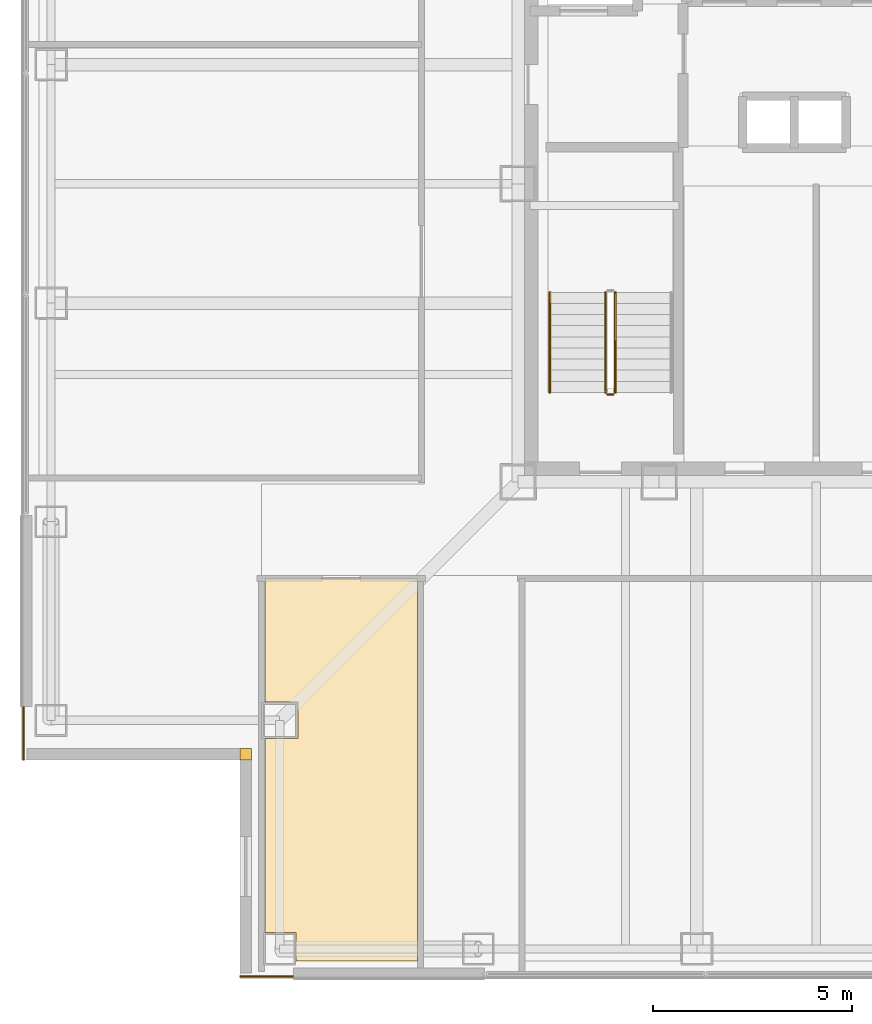
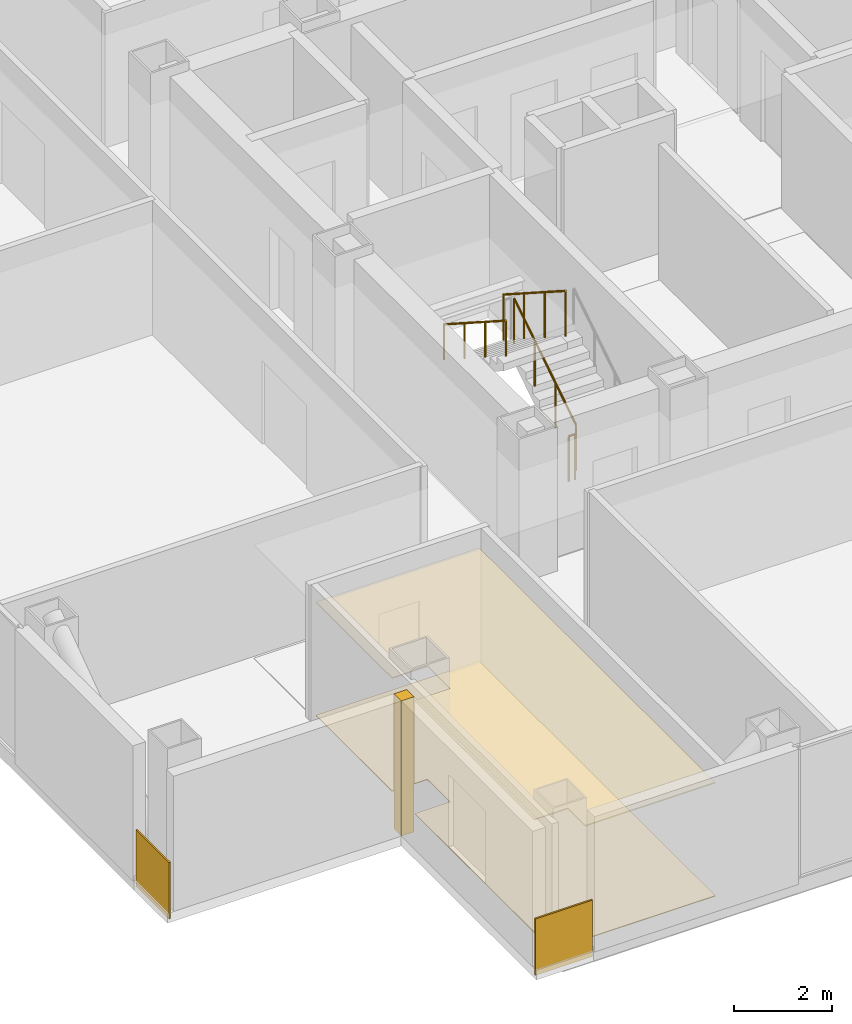
# One storey, part 11 of 16: 5 coverings, 4 railings.
"""IFC4 building model written with IfcOpenShell, lengths in metres."""

from ifc_helpers import new_model, si_unit, direction, frame, frame_2d, origin, origin_2d, place, context, subcontext, project, spatial, polyline, rectangle, circle, outline, extrude, material, layer, layer_set, type_object, element, save


model = new_model("IFC4")

# Units and contexts
model_context = context("Model", 3, precision=1e-05, world=origin(), true_north=direction((0.0, 1.0)))
body_context = subcontext(model_context, "Body", "Model", "MODEL_VIEW")
ifc_project = project(units=[si_unit("LENGTHUNIT", "METRE"), si_unit("AREAUNIT", "SQUARE_METRE"), si_unit("VOLUMEUNIT", "CUBIC_METRE"), si_unit("PLANEANGLEUNIT", "RADIAN"), si_unit("MASSUNIT", "GRAM", prefix="KILO")], contexts=[model_context])

# Site, building, storey
site_placement = place(None, origin())
site = spatial("IfcSite", under=ifc_project, at=site_placement, CompositionType="ELEMENT")
building_placement = place(site_placement, origin())
building = spatial("IfcBuilding", under=site, at=building_placement, Name="Trevonay Congress Spire", CompositionType="ELEMENT")
storey_placement = place(building_placement, frame((0.0, 0.0, 180.60009765625)))
storey = spatial("IfcBuildingStorey", under=building, at=storey_placement, Name="L46", CompositionType="ELEMENT", Elevation=180.60009765625)

# Coverings
ifc_material_1 = material(Name="Acoustic Mineral Fibre Board", Category="gypsum")
ifc_layer_1 = layer(ifc_material_1, 0.02490234375, Name="Acoustic Mineral Fibre Board")
ifc_layer_set_1 = layer_set([ifc_layer_1], Name="Acoustic Mineral Fibre Board")
covering_type_1 = type_object("IfcCoveringType", Name="COV-CEIL-ACOUSTIC", PredefinedType="CEILING", material=ifc_layer_set_1)
covering_1_placement = place(storey_placement, frame((0.0, 0.0, 2.809814453125)))
element("IfcCovering", 1, at=covering_1_placement, inside=storey, type_object=covering_type_1, Name="L46 Tribunal Judges Deliberation Room acoustic suspended ceiling", PredefinedType="CEILING", context=body_context, shape_type="SweptSolid", body=[
    extrude(outline(polyline([(-13.8701171875, -9.929931640625), (-10.030029296875, -9.929931640625), (-10.030029296875, -19.550048828125), (-13.090087890625, -19.550048828125), (-13.090087890625, -18.840087890625), (-13.8701171875, -18.840087890625), (-13.8701171875, -13.9599609375), (-13.0400390625, -13.9599609375), (-13.0400390625, -13.0400390625), (-13.8701171875, -13.0400390625), (-13.8701171875, -9.929931640625)])), origin(), (0.0, 0.0, 1.0), 0.025146484375),
])
ifc_material_2 = material(Name="Engineered Oak Flooring", Category="wood")
ifc_layer_2 = layer(ifc_material_2, 0.01806640625, Name="Engineered Oak Flooring")
ifc_layer_set_2 = layer_set([ifc_layer_2], Name="Engineered Oak Flooring")
covering_type_2 = type_object("IfcCoveringType", Name="COV-FLOOR-TIMBER", PredefinedType="FLOORING", material=ifc_layer_set_2)
covering_2_placement = place(storey_placement, origin())
element("IfcCovering", 2, at=covering_2_placement, inside=storey, type_object=covering_type_2, Name="L46 Tribunal Judges Deliberation Room floor finish", PredefinedType="FLOORING", context=body_context, shape_type="SweptSolid", body=[
    extrude(outline(polyline([(-13.8701171875, -9.929931640625), (-10.030029296875, -9.929931640625), (-10.030029296875, -19.550048828125), (-13.090087890625, -19.550048828125), (-13.090087890625, -18.840087890625), (-13.8701171875, -18.840087890625), (-13.8701171875, -13.9599609375), (-13.0400390625, -13.9599609375), (-13.0400390625, -13.0400390625), (-13.8701171875, -13.0400390625), (-13.8701171875, -9.929931640625)])), origin(), (0.0, 0.0, 1.0), 0.017822265625),
])
ifc_material_3 = material(Name="Pale Anodised Aluminium EN AW-6063-T6", Category="aluminium")
ifc_layer_3 = layer(ifc_material_3, 0.0400390625, Name="Pale Anodised Aluminium EN AW-6063-T6")
ifc_layer_set_3 = layer_set([ifc_layer_3], Name="Pale Anodised Aluminium EN AW-6063-T6")
covering_type_3 = type_object("IfcCoveringType", Name="COV-SPANDREL-PALE-METAL", PredefinedType="CLADDING", material=ifc_layer_set_3)
covering_3_placement = place(storey_placement, origin())
element("IfcCovering", 3, at=covering_3_placement, inside=storey, type_object=covering_type_3, Name="L46 SW re-entrant notch corner closure trim", PredefinedType="CLADDING", context=body_context, shape_type="SweptSolid", body=[
    extrude(outline(polyline([(-14.5, -14.5), (-14.199951171875, -14.5), (-14.199951171875, -14.199951171875), (-14.5, -14.199951171875), (-14.5, -14.5)])), origin(), (0.0, 0.0, 1.0), 3.35986328125),
])
for number, where, z_axis, x_axis, name in (
    (4, (-19.93994140625, -13.14990234375, -0.150146484375), (0.0, 0.0, 1.0), (0.0, -1.0, 0.0), "L46 SW corner pier spandrel cladding 1"),
    (5, (-13.14990234375, -19.93994140625, -0.150146484375), (0.0, 0.0, 1.0), (-1.0, 0.0, 0.0), "L46 SW corner pier spandrel cladding 2"),
):
    element("IfcCovering", number, at=place(storey_placement, frame(where, z_axis=z_axis, x_axis=x_axis)), inside=storey, type_object=covering_type_3, Name=name, PredefinedType="CLADDING", context=body_context, shape_type="SweptSolid", body=[
        extrude(rectangle(XDim=1.35009765625, YDim=0.0400390625, at=frame_2d((0.675048828125, 0.0))), origin(), (0.0, 0.0, 1.0), 1.400146484375),
    ])

# Railings
railing_type_1 = type_object("IfcRailingType", Name="RAL-STAIR-GUARD-110", PredefinedType="GUARDRAIL", material=ifc_material_3)
railing_1_placement = place(storey_placement, frame((-5.050048828125, -5.25, 0.179931640625)))
element("IfcRailing", 6, at=railing_1_placement, inside=storey, type_object=railing_type_1, Name="L46 ST-1 stair guard 1", PredefinedType="GUARDRAIL", context=body_context, shape_type="SweptSolid", body=[
    extrude(circle(Radius=0.02392578125, at=origin_2d()), frame((0.0, 0.0, 1.1259765625), z_axis=(0.0, 0.841199657755, 0.540724639528), x_axis=(-1.0, 0.0, 0.0)), (0.0, 0.0, 1.0), 2.995849609375),
    extrude(circle(Radius=0.02099609375, at=origin_2d()), origin(), (0.0, 0.0, 1.0), 1.101806640625),
    extrude(circle(Radius=0.02099609375, at=origin_2d()), frame((0.0, 0.840087890625, 0.5400390625)), (0.0, 0.0, 1.0), 1.101806640625),
    extrude(circle(Radius=0.02099609375, at=origin_2d()), frame((0.0, 1.679931640625, 1.079833984375)), (0.0, 0.0, 1.0), 1.101806640625),
    extrude(circle(Radius=0.02099609375, at=origin_2d()), frame((0.0, 2.52001953125, 1.619873046875)), (0.0, 0.0, 1.0), 1.101806640625),
])
railing_2_placement = place(storey_placement, frame((-5.300048828125, -2.72998046875, 1.97998046875)))
element("IfcRailing", 7, at=railing_2_placement, inside=storey, type_object=railing_type_1, Name="L46 ST-1 stair guard 3", PredefinedType="GUARDRAIL", context=body_context, shape_type="SweptSolid", body=[
    extrude(circle(Radius=0.02392578125, at=origin_2d()), frame((0.0, 0.0, 1.1259765625), z_axis=(0.0, -0.841199657755, 0.540724639528), x_axis=(1.0, 0.0, 0.0)), (0.0, 0.0, 1.0), 2.995849609375),
    extrude(circle(Radius=0.02099609375, at=origin_2d()), origin(), (0.0, 0.0, 1.0), 1.101806640625),
    extrude(circle(Radius=0.02099609375, at=origin_2d()), frame((0.0, -0.840087890625, 0.5400390625)), (0.0, 0.0, 1.0), 1.101806640625),
    extrude(circle(Radius=0.02099609375, at=origin_2d()), frame((0.0, -1.679931640625, 1.079833984375)), (0.0, 0.0, 1.0), 1.101806640625),
    extrude(circle(Radius=0.02099609375, at=origin_2d()), frame((0.0, -2.52001953125, 1.619873046875)), (0.0, 0.0, 1.0), 1.101806640625),
])
railing_3_placement = place(storey_placement, frame((-5.10009765625, -5.300048828125, 0.0)))
element("IfcRailing", 8, at=railing_3_placement, inside=storey, type_object=railing_type_1, Name="L46 ST-1 stair guard 4", PredefinedType="GUARDRAIL", context=body_context, shape_type="SweptSolid", body=[
    extrude(circle(Radius=0.02392578125, at=origin_2d()), frame((0.0, 0.0, 1.1259765625), z_axis=(-1.0, 0.0, 0.0), x_axis=(0.0, -1.0, 0.0)), (0.0, 0.0, 1.0), 0.14990234375),
    extrude(circle(Radius=0.02099609375, at=origin_2d()), origin(), (0.0, 0.0, 1.0), 1.101806640625),
    extrude(circle(Radius=0.02099609375, at=origin_2d()), frame((-0.14990234375, 0.0, 0.0)), (0.0, 0.0, 1.0), 1.101806640625),
])
railing_type_2 = type_object("IfcRailingType", Name="RAL-STAIR-HANDRAIL", PredefinedType="HANDRAIL", material=ifc_material_3)
railing_4_placement = place(storey_placement, frame((-6.699951171875, -2.72998046875, 1.97998046875)))
element("IfcRailing", 9, at=railing_4_placement, inside=storey, type_object=railing_type_2, Name="L46 ST-1 stair handrail 2", PredefinedType="HANDRAIL", context=body_context, shape_type="SweptSolid", body=[
    extrude(circle(Radius=0.02392578125, at=origin_2d()), frame((0.0, 0.0, 0.8759765625), z_axis=(0.0, -0.841199657755, 0.540724639528), x_axis=(1.0, 0.0, 0.0)), (0.0, 0.0, 1.0), 2.995849609375),
    extrude(circle(Radius=0.02099609375, at=origin_2d()), origin(), (0.0, 0.0, 1.0), 0.851806640625),
    extrude(circle(Radius=0.02099609375, at=origin_2d()), frame((0.0, -0.840087890625, 0.5400390625)), (0.0, 0.0, 1.0), 0.851806640625),
    extrude(circle(Radius=0.02099609375, at=origin_2d()), frame((0.0, -1.679931640625, 1.079833984375)), (0.0, 0.0, 1.0), 0.851806640625),
    extrude(circle(Radius=0.02099609375, at=origin_2d()), frame((0.0, -2.52001953125, 1.619873046875)), (0.0, 0.0, 1.0), 0.851806640625),
])

save(model, "model.ifc")
